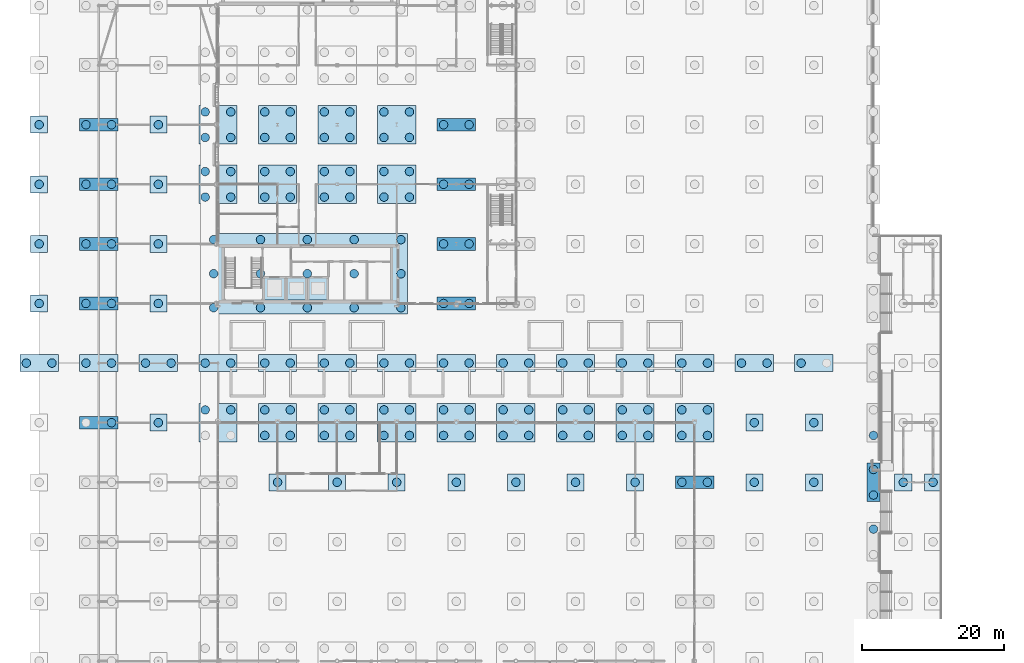
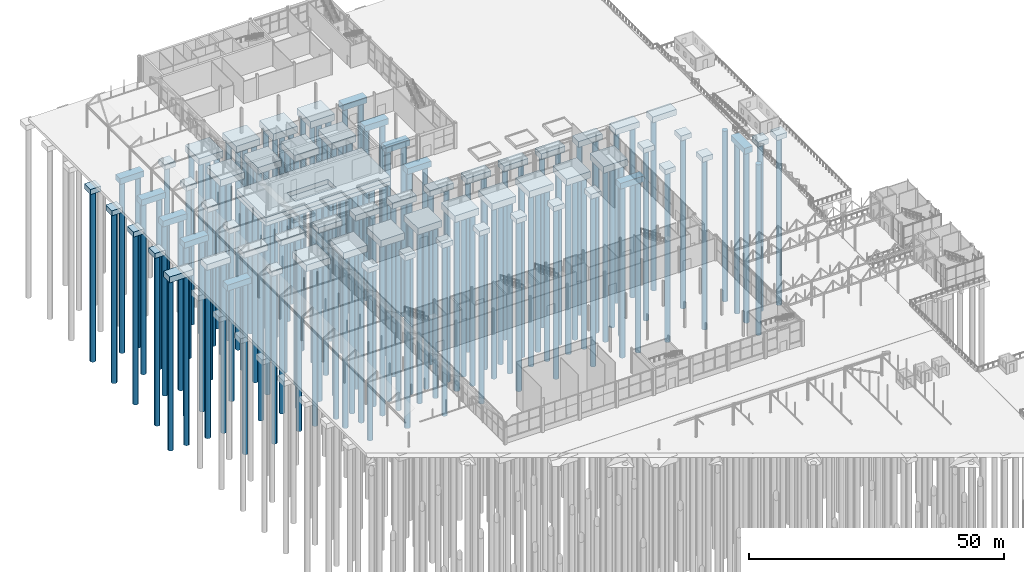
# One storey, part 4 of 212: 153 piles, 66 footings.
"""IFC4 building model written with IfcOpenShell, lengths in metres."""

from ifc_helpers import new_model, si_unit, direction, frame, origin, origin_2d, place, context, subcontext, project, spatial, polyline, rectangle, circle, outline, extrude, material, layer, layer_set, material_profile, profile_set, type_object, element, save


model = new_model("IFC4")

# Units and contexts
model_context = context("Model", 3, precision=1e-05, world=origin(), true_north=direction((0.0, 1.0)))
body_context = subcontext(model_context, "Body", "Model", "MODEL_VIEW")
ifc_project = project(units=[si_unit("LENGTHUNIT", "METRE"), si_unit("AREAUNIT", "SQUARE_METRE"), si_unit("VOLUMEUNIT", "CUBIC_METRE"), si_unit("PLANEANGLEUNIT", "RADIAN"), si_unit("MASSUNIT", "GRAM", prefix="KILO")], contexts=[model_context])

# Site, building, storey
site_placement = place(None, origin())
site = spatial("IfcSite", under=ifc_project, at=site_placement, CompositionType="ELEMENT")
building_placement = place(site_placement, origin())
building = spatial("IfcBuilding", under=site, at=building_placement, Name="Catenary Quay Ferry Terminal", CompositionType="ELEMENT")
storey_placement = place(building_placement, origin())
storey = spatial("IfcBuildingStorey", under=building, at=storey_placement, Name="L00", CompositionType="ELEMENT", Elevation=0.0)

# Piles
ifc_material_1 = material(Name="Concrete C35/45", Category="concrete")
ifc_material_profile = material_profile(ifc_material_1, circle(Radius=0.60009765625, at=origin_2d()), Name="D1200")
ifc_profile_set = profile_set([ifc_material_profile], Name="Concrete C35/45")
pile_type = type_object("IfcPileType", Name="Bored pile D1200", PredefinedType="BORED", material=ifc_profile_set)
for number, where, z_axis, x_axis, name in (
    (1, (117.60009765625, 127.800048828125, -2.10009765625), (0.0, 0.0, -1.0), (1.0, 0.0, 0.0), "Pile PC2-O16/2"),
    (2, (33.60009765625, 134.39990234375, -1.89990234375), (0.0, 0.0, -1.0), (1.0, 0.0, 0.0), "Pile PC1-E17/1"),
    (3, (42.0, 134.39990234375, -1.89990234375), (0.0, 0.0, -1.0), (1.0, 0.0, 0.0), "Pile PC1-F17/1"),
    (4, (50.39990234375, 134.39990234375, -1.89990234375), (0.0, 0.0, -1.0), (1.0, 0.0, 0.0), "Pile PC1-G17/1"),
    (5, (58.800048828125, 134.39990234375, -1.89990234375), (0.0, 0.0, -1.0), (1.0, 0.0, 0.0), "Pile PC1-H17/1"),
    (6, (67.199951171875, 134.39990234375, -1.89990234375), (0.0, 0.0, -1.0), (1.0, 0.0, 0.0), "Pile PC1-I17/1"),
    (7, (75.60009765625, 134.39990234375, -1.89990234375), (0.0, 0.0, -1.0), (1.0, 0.0, 0.0), "Pile PC1-J17/1"),
    (8, (84.0, 134.39990234375, -1.89990234375), (0.0, 0.0, -1.0), (1.0, 0.0, 0.0), "Pile PC1-K17/1"),
    (9, (90.60009765625, 134.39990234375, -2.10009765625), (0.0, 0.0, -1.0), (1.0, 0.0, 0.0), "Pile PC2-L17/1"),
    (10, (94.199951171875, 134.39990234375, -2.10009765625), (0.0, 0.0, -1.0), (1.0, 0.0, 0.0), "Pile PC2-L17/2"),
    (11, (100.800048828125, 134.39990234375, -1.89990234375), (0.0, 0.0, -1.0), (1.0, 0.0, 0.0), "Pile PC1-M17/1"),
    (12, (109.199951171875, 134.39990234375, -1.89990234375), (0.0, 0.0, -1.0), (1.0, 0.0, 0.0), "Pile PC1-N17/1"),
    (13, (117.60009765625, 132.60009765625, -2.10009765625), (0.0, 0.0, -1.0), (1.0, 0.0, 0.0), "Pile PC2-O17/1"),
    (14, (117.60009765625, 136.199951171875, -2.10009765625), (0.0, 0.0, -1.0), (1.0, 0.0, 0.0), "Pile PC2-O17/2"),
    (15, (10.199951171875, 142.800048828125, -2.10009765625), (0.0, 0.0, -1.0), (1.0, 0.0, 0.0), "Pile PC2-B18/2"),
    (16, (16.800048828125, 142.800048828125, -1.89990234375), (0.0, 0.0, -1.0), (1.0, 0.0, 0.0), "Pile PC1-C18/1"),
    (17, (23.39990234375, 144.60009765625, -2.300048828125), (0.0, 0.0, -1.0), (1.0, 0.0, 0.0), "Pile PC4-D18/3"),
    (18, (27.0, 144.60009765625, -2.300048828125), (0.0, 0.0, -1.0), (1.0, 0.0, 0.0), "Pile PC4-D18/4"),
    (19, (31.800048828125, 141.0, -2.300048828125), (0.0, 0.0, -1.0), (1.0, 0.0, 0.0), "Pile PC4-E18/1"),
    (20, (35.39990234375, 141.0, -2.300048828125), (0.0, 0.0, -1.0), (1.0, 0.0, 0.0), "Pile PC4-E18/2"),
    (21, (31.800048828125, 144.60009765625, -2.300048828125), (0.0, 0.0, -1.0), (1.0, 0.0, 0.0), "Pile PC4-E18/3"),
    (22, (35.39990234375, 144.60009765625, -2.300048828125), (0.0, 0.0, -1.0), (1.0, 0.0, 0.0), "Pile PC4-E18/4"),
    (23, (40.199951171875, 141.0, -2.300048828125), (0.0, 0.0, -1.0), (1.0, 0.0, 0.0), "Pile PC4-F18/1"),
    (24, (43.800048828125, 141.0, -2.300048828125), (0.0, 0.0, -1.0), (1.0, 0.0, 0.0), "Pile PC4-F18/2"),
    (25, (40.199951171875, 144.60009765625, -2.300048828125), (0.0, 0.0, -1.0), (1.0, 0.0, 0.0), "Pile PC4-F18/3"),
    (26, (43.800048828125, 144.60009765625, -2.300048828125), (0.0, 0.0, -1.0), (1.0, 0.0, 0.0), "Pile PC4-F18/4"),
    (27, (48.60009765625, 141.0, -2.300048828125), (0.0, 0.0, -1.0), (1.0, 0.0, 0.0), "Pile PC4-G18/1"),
    (28, (52.199951171875, 141.0, -2.300048828125), (0.0, 0.0, -1.0), (1.0, 0.0, 0.0), "Pile PC4-G18/2"),
    (29, (48.60009765625, 144.60009765625, -2.300048828125), (0.0, 0.0, -1.0), (1.0, 0.0, 0.0), "Pile PC4-G18/3"),
    (30, (52.199951171875, 144.60009765625, -2.300048828125), (0.0, 0.0, -1.0), (1.0, 0.0, 0.0), "Pile PC4-G18/4"),
    (31, (57.0, 141.0, -2.300048828125), (0.0, 0.0, -1.0), (1.0, 0.0, 0.0), "Pile PC4-H18/1"),
    (32, (60.60009765625, 141.0, -2.300048828125), (0.0, 0.0, -1.0), (1.0, 0.0, 0.0), "Pile PC4-H18/2"),
    (33, (57.0, 144.60009765625, -2.300048828125), (0.0, 0.0, -1.0), (1.0, 0.0, 0.0), "Pile PC4-H18/3"),
    (34, (60.60009765625, 144.60009765625, -2.300048828125), (0.0, 0.0, -1.0), (1.0, 0.0, 0.0), "Pile PC4-H18/4"),
    (35, (65.39990234375, 141.0, -2.300048828125), (0.0, 0.0, -1.0), (1.0, 0.0, 0.0), "Pile PC4-I18/1"),
    (36, (69.0, 141.0, -2.300048828125), (0.0, 0.0, -1.0), (1.0, 0.0, 0.0), "Pile PC4-I18/2"),
    (37, (65.39990234375, 144.60009765625, -2.300048828125), (0.0, 0.0, -1.0), (1.0, 0.0, 0.0), "Pile PC4-I18/3"),
    (38, (69.0, 144.60009765625, -2.300048828125), (0.0, 0.0, -1.0), (1.0, 0.0, 0.0), "Pile PC4-I18/4"),
    (39, (73.800048828125, 141.0, -2.300048828125), (0.0, 0.0, -1.0), (1.0, 0.0, 0.0), "Pile PC4-J18/1"),
    (40, (77.39990234375, 141.0, -2.300048828125), (0.0, 0.0, -1.0), (1.0, 0.0, 0.0), "Pile PC4-J18/2"),
    (41, (73.800048828125, 144.60009765625, -2.300048828125), (0.0, 0.0, -1.0), (1.0, 0.0, 0.0), "Pile PC4-J18/3"),
    (42, (77.39990234375, 144.60009765625, -2.300048828125), (0.0, 0.0, -1.0), (1.0, 0.0, 0.0), "Pile PC4-J18/4"),
    (43, (82.199951171875, 141.0, -2.300048828125), (0.0, 0.0, -1.0), (1.0, 0.0, 0.0), "Pile PC4-K18/1"),
    (44, (85.800048828125, 141.0, -2.300048828125), (0.0, 0.0, -1.0), (1.0, 0.0, 0.0), "Pile PC4-K18/2"),
    (45, (82.199951171875, 144.60009765625, -2.300048828125), (0.0, 0.0, -1.0), (1.0, 0.0, 0.0), "Pile PC4-K18/3"),
    (46, (85.800048828125, 144.60009765625, -2.300048828125), (0.0, 0.0, -1.0), (1.0, 0.0, 0.0), "Pile PC4-K18/4"),
    (47, (90.60009765625, 141.0, -2.300048828125), (0.0, 0.0, -1.0), (1.0, 0.0, 0.0), "Pile PC4-L18/1"),
    (48, (94.199951171875, 141.0, -2.300048828125), (0.0, 0.0, -1.0), (1.0, 0.0, 0.0), "Pile PC4-L18/2"),
    (49, (90.60009765625, 144.60009765625, -2.300048828125), (0.0, 0.0, -1.0), (1.0, 0.0, 0.0), "Pile PC4-L18/3"),
    (50, (94.199951171875, 144.60009765625, -2.300048828125), (0.0, 0.0, -1.0), (1.0, 0.0, 0.0), "Pile PC4-L18/4"),
    (51, (100.800048828125, 142.800048828125, -1.89990234375), (0.0, 0.0, -1.0), (1.0, 0.0, 0.0), "Pile PC1-M18/1"),
    (52, (109.199951171875, 142.800048828125, -1.89990234375), (0.0, 0.0, -1.0), (1.0, 0.0, 0.0), "Pile PC1-N18/1"),
    (53, (117.60009765625, 141.0, -2.10009765625), (0.0, 0.0, -1.0), (1.0, 0.0, 0.0), "Pile PC2-O18/1"),
    (54, (-1.800048828125, 151.199951171875, -2.10009765625), (0.0, 0.0, -1.0), (1.0, 0.0, 0.0), "Pile PC2J-A19/1"),
    (55, (1.800048828125, 151.199951171875, -2.10009765625), (0.0, 0.0, -1.0), (1.0, 0.0, 0.0), "Pile PC2J-A19/2"),
    (56, (6.60009765625, 151.199951171875, -2.10009765625), (0.0, 0.0, -1.0), (1.0, 0.0, 0.0), "Pile PC2J-B19/1"),
    (57, (10.199951171875, 151.199951171875, -2.10009765625), (0.0, 0.0, -1.0), (1.0, 0.0, 0.0), "Pile PC2J-B19/2"),
    (58, (15.0, 151.199951171875, -2.10009765625), (0.0, 0.0, -1.0), (1.0, 0.0, 0.0), "Pile PC2J-C19/1"),
    (59, (18.60009765625, 151.199951171875, -2.10009765625), (0.0, 0.0, -1.0), (1.0, 0.0, 0.0), "Pile PC2J-C19/2"),
    (60, (23.39990234375, 151.199951171875, -2.10009765625), (0.0, 0.0, -1.0), (1.0, 0.0, 0.0), "Pile PC2J-D19/1"),
    (61, (27.0, 151.199951171875, -2.10009765625), (0.0, 0.0, -1.0), (1.0, 0.0, 0.0), "Pile PC2J-D19/2"),
    (62, (31.800048828125, 151.199951171875, -2.10009765625), (0.0, 0.0, -1.0), (1.0, 0.0, 0.0), "Pile PC2J-E19/1"),
    (63, (35.39990234375, 151.199951171875, -2.10009765625), (0.0, 0.0, -1.0), (1.0, 0.0, 0.0), "Pile PC2J-E19/2"),
    (64, (40.199951171875, 151.199951171875, -2.10009765625), (0.0, 0.0, -1.0), (1.0, 0.0, 0.0), "Pile PC2J-F19/1"),
    (65, (43.800048828125, 151.199951171875, -2.10009765625), (0.0, 0.0, -1.0), (1.0, 0.0, 0.0), "Pile PC2J-F19/2"),
    (66, (48.60009765625, 151.199951171875, -2.10009765625), (0.0, 0.0, -1.0), (1.0, 0.0, 0.0), "Pile PC2J-G19/1"),
    (67, (52.199951171875, 151.199951171875, -2.10009765625), (0.0, 0.0, -1.0), (1.0, 0.0, 0.0), "Pile PC2J-G19/2"),
    (68, (57.0, 151.199951171875, -2.10009765625), (0.0, 0.0, -1.0), (1.0, 0.0, 0.0), "Pile PC2J-H19/1"),
    (69, (60.60009765625, 151.199951171875, -2.10009765625), (0.0, 0.0, -1.0), (1.0, 0.0, 0.0), "Pile PC2J-H19/2"),
    (70, (65.39990234375, 151.199951171875, -2.10009765625), (0.0, 0.0, -1.0), (1.0, 0.0, 0.0), "Pile PC2J-I19/1"),
    (71, (69.0, 151.199951171875, -2.10009765625), (0.0, 0.0, -1.0), (1.0, 0.0, 0.0), "Pile PC2J-I19/2"),
    (72, (73.800048828125, 151.199951171875, -2.10009765625), (0.0, 0.0, -1.0), (1.0, 0.0, 0.0), "Pile PC2J-J19/1"),
    (73, (77.39990234375, 151.199951171875, -2.10009765625), (0.0, 0.0, -1.0), (1.0, 0.0, 0.0), "Pile PC2J-J19/2"),
    (74, (82.199951171875, 151.199951171875, -2.10009765625), (0.0, 0.0, -1.0), (1.0, 0.0, 0.0), "Pile PC2J-K19/1"),
    (75, (85.800048828125, 151.199951171875, -2.10009765625), (0.0, 0.0, -1.0), (1.0, 0.0, 0.0), "Pile PC2J-K19/2"),
    (76, (90.60009765625, 151.199951171875, -2.10009765625), (0.0, 0.0, -1.0), (1.0, 0.0, 0.0), "Pile PC2J-L19/1"),
    (77, (94.199951171875, 151.199951171875, -2.10009765625), (0.0, 0.0, -1.0), (1.0, 0.0, 0.0), "Pile PC2J-L19/2"),
    (78, (99.0, 151.199951171875, -2.10009765625), (0.0, 0.0, -1.0), (1.0, 0.0, 0.0), "Pile PC2J-M19/1"),
    (79, (102.60009765625, 151.199951171875, -2.10009765625), (0.0, 0.0, -1.0), (1.0, 0.0, 0.0), "Pile PC2J-M19/2"),
    (80, (107.39990234375, 151.199951171875, -2.10009765625), (0.0, 0.0, -1.0), (1.0, 0.0, 0.0), "Pile PC2J-N19/1"),
    (81, (0.0, 159.60009765625, -1.89990234375), (0.0, 0.0, -1.0), (1.0, 0.0, 0.0), "Pile PC1-A20/1"),
    (82, (6.60009765625, 159.60009765625, -2.10009765625), (0.0, 0.0, -1.0), (1.0, 0.0, 0.0), "Pile PC2-B20/1"),
    (83, (10.199951171875, 159.60009765625, -2.10009765625), (0.0, 0.0, -1.0), (1.0, 0.0, 0.0), "Pile PC2-B20/2"),
    (84, (16.800048828125, 159.60009765625, -1.89990234375), (0.0, 0.0, -1.0), (1.0, 0.0, 0.0), "Pile PC1-C20/1"),
    (85, (57.0, 159.60009765625, -2.10009765625), (0.0, 0.0, -1.0), (1.0, 0.0, 0.0), "Pile PC2-H20/1"),
    (86, (60.60009765625, 159.60009765625, -2.10009765625), (0.0, 0.0, -1.0), (1.0, 0.0, 0.0), "Pile PC2-H20/2"),
    (87, (0.0, 168.0, -1.89990234375), (0.0, 0.0, -1.0), (1.0, 0.0, 0.0), "Pile PC1-A21/1"),
    (88, (6.60009765625, 168.0, -2.10009765625), (0.0, 0.0, -1.0), (1.0, 0.0, 0.0), "Pile PC2-B21/1"),
    (89, (10.199951171875, 168.0, -2.10009765625), (0.0, 0.0, -1.0), (1.0, 0.0, 0.0), "Pile PC2-B21/2"),
    (90, (16.800048828125, 168.0, -1.89990234375), (0.0, 0.0, -1.0), (1.0, 0.0, 0.0), "Pile PC1-C21/1"),
    (91, (57.0, 168.0, -2.10009765625), (0.0, 0.0, -1.0), (1.0, 0.0, 0.0), "Pile PC2-H21/1"),
    (92, (60.60009765625, 168.0, -2.10009765625), (0.0, 0.0, -1.0), (1.0, 0.0, 0.0), "Pile PC2-H21/2"),
    (93, (0.0, 176.39990234375, -1.89990234375), (0.0, 0.0, -1.0), (1.0, 0.0, 0.0), "Pile PC1-A22/1"),
    (94, (6.60009765625, 176.39990234375, -2.10009765625), (0.0, 0.0, -1.0), (1.0, 0.0, 0.0), "Pile PC2-B22/1"),
    (95, (10.199951171875, 176.39990234375, -2.10009765625), (0.0, 0.0, -1.0), (1.0, 0.0, 0.0), "Pile PC2-B22/2"),
    (96, (16.800048828125, 176.39990234375, -1.89990234375), (0.0, 0.0, -1.0), (1.0, 0.0, 0.0), "Pile PC1-C22/1"),
    (97, (23.39990234375, 174.60009765625, -2.300048828125), (0.0, 0.0, -1.0), (1.0, 0.0, 0.0), "Pile PC4-D22/1"),
    (98, (27.0, 174.60009765625, -2.300048828125), (0.0, 0.0, -1.0), (1.0, 0.0, 0.0), "Pile PC4-D22/2"),
    (99, (23.39990234375, 178.199951171875, -2.300048828125), (0.0, 0.0, -1.0), (1.0, 0.0, 0.0), "Pile PC4-D22/3"),
    (100, (27.0, 178.199951171875, -2.300048828125), (0.0, 0.0, -1.0), (1.0, 0.0, 0.0), "Pile PC4-D22/4"),
    (101, (31.800048828125, 174.60009765625, -2.300048828125), (0.0, 0.0, -1.0), (1.0, 0.0, 0.0), "Pile PC4-E22/1"),
    (102, (35.39990234375, 174.60009765625, -2.300048828125), (0.0, 0.0, -1.0), (1.0, 0.0, 0.0), "Pile PC4-E22/2"),
    (103, (31.800048828125, 178.199951171875, -2.300048828125), (0.0, 0.0, -1.0), (1.0, 0.0, 0.0), "Pile PC4-E22/3"),
    (104, (35.39990234375, 178.199951171875, -2.300048828125), (0.0, 0.0, -1.0), (1.0, 0.0, 0.0), "Pile PC4-E22/4"),
    (105, (40.199951171875, 174.60009765625, -2.300048828125), (0.0, 0.0, -1.0), (1.0, 0.0, 0.0), "Pile PC4-F22/1"),
    (106, (43.800048828125, 174.60009765625, -2.300048828125), (0.0, 0.0, -1.0), (1.0, 0.0, 0.0), "Pile PC4-F22/2"),
    (107, (40.199951171875, 178.199951171875, -2.300048828125), (0.0, 0.0, -1.0), (1.0, 0.0, 0.0), "Pile PC4-F22/3"),
    (108, (43.800048828125, 178.199951171875, -2.300048828125), (0.0, 0.0, -1.0), (1.0, 0.0, 0.0), "Pile PC4-F22/4"),
    (109, (48.60009765625, 174.60009765625, -2.300048828125), (0.0, 0.0, -1.0), (1.0, 0.0, 0.0), "Pile PC4-G22/1"),
    (110, (52.199951171875, 174.60009765625, -2.300048828125), (0.0, 0.0, -1.0), (1.0, 0.0, 0.0), "Pile PC4-G22/2"),
    (111, (48.60009765625, 178.199951171875, -2.300048828125), (0.0, 0.0, -1.0), (1.0, 0.0, 0.0), "Pile PC4-G22/3"),
    (112, (52.199951171875, 178.199951171875, -2.300048828125), (0.0, 0.0, -1.0), (1.0, 0.0, 0.0), "Pile PC4-G22/4"),
    (113, (57.0, 176.39990234375, -2.10009765625), (0.0, 0.0, -1.0), (1.0, 0.0, 0.0), "Pile PC2-H22/1"),
    (114, (60.60009765625, 176.39990234375, -2.10009765625), (0.0, 0.0, -1.0), (1.0, 0.0, 0.0), "Pile PC2-H22/2"),
    (115, (0.0, 184.800048828125, -1.89990234375), (0.0, 0.0, -1.0), (1.0, 0.0, 0.0), "Pile PC1-A23/1"),
    (116, (6.60009765625, 184.800048828125, -2.10009765625), (0.0, 0.0, -1.0), (1.0, 0.0, 0.0), "Pile PC2-B23/1"),
    (117, (10.199951171875, 184.800048828125, -2.10009765625), (0.0, 0.0, -1.0), (1.0, 0.0, 0.0), "Pile PC2-B23/2"),
    (118, (16.800048828125, 184.800048828125, -1.89990234375), (0.0, 0.0, -1.0), (1.0, 0.0, 0.0), "Pile PC1-C23/1"),
    (119, (23.39990234375, 183.0, -2.300048828125), (0.0, 0.0, -1.0), (1.0, 0.0, 0.0), "Pile PC4-D23/1"),
    (120, (27.0, 183.0, -2.300048828125), (0.0, 0.0, -1.0), (1.0, 0.0, 0.0), "Pile PC4-D23/2"),
    (121, (23.39990234375, 186.60009765625, -2.300048828125), (0.0, 0.0, -1.0), (1.0, 0.0, 0.0), "Pile PC4-D23/3"),
    (122, (27.0, 186.60009765625, -2.300048828125), (0.0, 0.0, -1.0), (1.0, 0.0, 0.0), "Pile PC4-D23/4"),
    (123, (31.800048828125, 183.0, -2.300048828125), (0.0, 0.0, -1.0), (1.0, 0.0, 0.0), "Pile PC4-E23/1"),
    (124, (35.39990234375, 183.0, -2.300048828125), (0.0, 0.0, -1.0), (1.0, 0.0, 0.0), "Pile PC4-E23/2"),
    (125, (31.800048828125, 186.60009765625, -2.300048828125), (0.0, 0.0, -1.0), (1.0, 0.0, 0.0), "Pile PC4-E23/3"),
    (126, (35.39990234375, 186.60009765625, -2.300048828125), (0.0, 0.0, -1.0), (1.0, 0.0, 0.0), "Pile PC4-E23/4"),
    (127, (40.199951171875, 183.0, -2.300048828125), (0.0, 0.0, -1.0), (1.0, 0.0, 0.0), "Pile PC4-F23/1"),
    (128, (43.800048828125, 183.0, -2.300048828125), (0.0, 0.0, -1.0), (1.0, 0.0, 0.0), "Pile PC4-F23/2"),
    (129, (40.199951171875, 186.60009765625, -2.300048828125), (0.0, 0.0, -1.0), (1.0, 0.0, 0.0), "Pile PC4-F23/3"),
    (130, (43.800048828125, 186.60009765625, -2.300048828125), (0.0, 0.0, -1.0), (1.0, 0.0, 0.0), "Pile PC4-F23/4"),
    (131, (48.60009765625, 183.0, -2.300048828125), (0.0, 0.0, -1.0), (1.0, 0.0, 0.0), "Pile PC4-G23/1"),
    (132, (52.199951171875, 183.0, -2.300048828125), (0.0, 0.0, -1.0), (1.0, 0.0, 0.0), "Pile PC4-G23/2"),
    (133, (48.60009765625, 186.60009765625, -2.300048828125), (0.0, 0.0, -1.0), (1.0, 0.0, 0.0), "Pile PC4-G23/3"),
    (134, (52.199951171875, 186.60009765625, -2.300048828125), (0.0, 0.0, -1.0), (1.0, 0.0, 0.0), "Pile PC4-G23/4"),
    (135, (57.0, 184.800048828125, -2.10009765625), (0.0, 0.0, -1.0), (1.0, 0.0, 0.0), "Pile PC2-H23/1"),
    (136, (60.60009765625, 184.800048828125, -2.10009765625), (0.0, 0.0, -1.0), (1.0, 0.0, 0.0), "Pile PC2-H23/2"),
):
    element("IfcPile", number, at=place(storey_placement, frame(where, z_axis=z_axis, x_axis=x_axis)), inside=storey, type_object=pile_type, Name=name, PredefinedType="BORED", context=body_context, shape_type="SweptSolid", body=[
        extrude(circle(Radius=0.60009765625, at=origin_2d()), origin(), (0.0, 0.0, 1.0), 40.800048828125),
    ])
for number, where, z_axis, x_axis, name in (
    (137, (121.800048828125, 134.39990234375, -2.60009765625), (0.0, 0.0, -1.0), (1.0, 0.0, 0.0), "Pile PC1-RS17/1"),
    (138, (126.0, 134.39990234375, -2.60009765625), (0.0, 0.0, -1.0), (1.0, 0.0, 0.0), "Pile PC1-RT17/1"),
):
    element("IfcPile", number, at=place(storey_placement, frame(where, z_axis=z_axis, x_axis=x_axis)), inside=storey, type_object=pile_type, Name=name, PredefinedType="BORED", context=body_context, shape_type="SweptSolid", body=[
        extrude(circle(Radius=0.60009765625, at=origin_2d()), origin(), (0.0, 0.0, 1.0), 40.10009765625),
    ])
for number, where, z_axis, x_axis, name in (
    (139, (24.60009765625, 159.0, -2.699951171875), (0.0, 0.0, -1.0), (1.0, 0.0, 0.0), "Pile CF1/1"),
    (140, (31.199951171875, 159.0, -2.699951171875), (0.0, 0.0, -1.0), (1.0, 0.0, 0.0), "Pile CF1/2"),
    (141, (37.800048828125, 159.0, -2.699951171875), (0.0, 0.0, -1.0), (1.0, 0.0, 0.0), "Pile CF1/3"),
    (142, (44.39990234375, 159.0, -2.699951171875), (0.0, 0.0, -1.0), (1.0, 0.0, 0.0), "Pile CF1/4"),
    (143, (51.0, 159.0, -2.699951171875), (0.0, 0.0, -1.0), (1.0, 0.0, 0.0), "Pile CF1/5"),
    (144, (24.60009765625, 163.800048828125, -2.699951171875), (0.0, 0.0, -1.0), (1.0, 0.0, 0.0), "Pile CF1/6"),
    (145, (31.199951171875, 163.800048828125, -2.699951171875), (0.0, 0.0, -1.0), (1.0, 0.0, 0.0), "Pile CF1/7"),
    (146, (37.800048828125, 163.800048828125, -2.699951171875), (0.0, 0.0, -1.0), (1.0, 0.0, 0.0), "Pile CF1/8"),
    (147, (44.39990234375, 163.800048828125, -2.699951171875), (0.0, 0.0, -1.0), (1.0, 0.0, 0.0), "Pile CF1/9"),
    (148, (51.0, 163.800048828125, -2.699951171875), (0.0, 0.0, -1.0), (1.0, 0.0, 0.0), "Pile CF1/10"),
    (149, (24.60009765625, 168.60009765625, -2.699951171875), (0.0, 0.0, -1.0), (1.0, 0.0, 0.0), "Pile CF1/11"),
    (150, (31.199951171875, 168.60009765625, -2.699951171875), (0.0, 0.0, -1.0), (1.0, 0.0, 0.0), "Pile CF1/12"),
    (151, (37.800048828125, 168.60009765625, -2.699951171875), (0.0, 0.0, -1.0), (1.0, 0.0, 0.0), "Pile CF1/13"),
    (152, (44.39990234375, 168.60009765625, -2.699951171875), (0.0, 0.0, -1.0), (1.0, 0.0, 0.0), "Pile CF1/14"),
    (153, (51.0, 168.60009765625, -2.699951171875), (0.0, 0.0, -1.0), (1.0, 0.0, 0.0), "Pile CF1/15"),
):
    element("IfcPile", number, at=place(storey_placement, frame(where, z_axis=z_axis, x_axis=x_axis)), inside=storey, type_object=pile_type, Name=name, PredefinedType="BORED", context=body_context, shape_type="SweptSolid", body=[
        extrude(circle(Radius=0.60009765625, at=origin_2d()), origin(), (0.0, 0.0, 1.0), 40.800048828125),
    ])

# Footings
ifc_material_2 = material(Name="Concrete C50/60", Category="concrete")
ifc_layer_1 = layer(ifc_material_2, 0.89990234375)
ifc_layer_set_1 = layer_set([ifc_layer_1], Name="Core footing lower layer")
footing_type_1 = type_object("IfcFootingType", Name="Core footing lower layer", PredefinedType="PILE_CAP", material=ifc_layer_set_1)
footing_1_placement = place(storey_placement, frame((0.0, 0.0, -2.699951171875)))
element("IfcFooting", 154, at=footing_1_placement, inside=storey, type_object=footing_type_1, Name="Core footing CF1 lower layer", PredefinedType="PILE_CAP", context=body_context, shape_type="SweptSolid", body=[
    extrude(outline(polyline([(23.699951171875, 158.10009765625), (51.89990234375, 158.10009765625), (51.89990234375, 169.5), (23.699951171875, 169.5), (23.699951171875, 158.10009765625)])), origin(), (0.0, 0.0, 1.0), 0.89990234375),
])
ifc_material_3 = material(Name="Concrete C50/60", Category="concrete")
ifc_layer_2 = layer(ifc_material_3, 1.10009765625)
ifc_layer_set_2 = layer_set([ifc_layer_2], Name="Core footing upper layer")
footing_type_2 = type_object("IfcFootingType", Name="Core footing upper layer", PredefinedType="PILE_CAP", material=ifc_layer_set_2)
footing_2_placement = place(storey_placement, frame((0.0, 0.0, -1.800048828125)))
element("IfcFooting", 155, at=footing_2_placement, inside=storey, type_object=footing_type_2, Name="Core footing CF1 upper layer", PredefinedType="PILE_CAP", context=body_context, shape_type="SweptSolid", body=[
    extrude(outline(polyline([(23.699951171875, 158.10009765625), (51.89990234375, 158.10009765625), (51.89990234375, 169.5), (23.699951171875, 169.5), (23.699951171875, 158.10009765625)]), holes=[polyline([(31.5, 160.10009765625), (31.5, 163.39990234375), (40.800048828125, 163.39990234375), (40.800048828125, 160.10009765625), (31.5, 160.10009765625)])]), origin(), (0.0, 0.0, 1.0), 1.10009765625),
])
ifc_material_4 = material(Name="Concrete C35/45", Category="concrete")
footing_type_3 = type_object("IfcFootingType", Name="Pile cap PC1", PredefinedType="PILE_CAP", material=ifc_material_4)
for number, where, z_axis, x_axis, name in (
    (156, (33.60009765625, 134.39990234375, -1.89990234375), (0.0, 0.0, 1.0), (1.0, 0.0, 0.0), "Pile cap PC1-E17"),
    (157, (42.0, 134.39990234375, -1.89990234375), (0.0, 0.0, 1.0), (1.0, 0.0, 0.0), "Pile cap PC1-F17"),
    (158, (50.39990234375, 134.39990234375, -1.89990234375), (0.0, 0.0, 1.0), (1.0, 0.0, 0.0), "Pile cap PC1-G17"),
    (159, (58.800048828125, 134.39990234375, -1.89990234375), (0.0, 0.0, 1.0), (1.0, 0.0, 0.0), "Pile cap PC1-H17"),
    (160, (67.199951171875, 134.39990234375, -1.89990234375), (0.0, 0.0, 1.0), (1.0, 0.0, 0.0), "Pile cap PC1-I17"),
    (161, (75.60009765625, 134.39990234375, -1.89990234375), (0.0, 0.0, 1.0), (1.0, 0.0, 0.0), "Pile cap PC1-J17"),
    (162, (84.0, 134.39990234375, -1.89990234375), (0.0, 0.0, 1.0), (1.0, 0.0, 0.0), "Pile cap PC1-K17"),
    (163, (100.800048828125, 134.39990234375, -1.89990234375), (0.0, 0.0, 1.0), (1.0, 0.0, 0.0), "Pile cap PC1-M17"),
    (164, (109.199951171875, 134.39990234375, -1.89990234375), (0.0, 0.0, 1.0), (1.0, 0.0, 0.0), "Pile cap PC1-N17"),
    (165, (16.800048828125, 142.800048828125, -1.89990234375), (0.0, 0.0, 1.0), (1.0, 0.0, 0.0), "Pile cap PC1-C18"),
    (166, (100.800048828125, 142.800048828125, -1.89990234375), (0.0, 0.0, 1.0), (1.0, 0.0, 0.0), "Pile cap PC1-M18"),
    (167, (109.199951171875, 142.800048828125, -1.89990234375), (0.0, 0.0, 1.0), (1.0, 0.0, 0.0), "Pile cap PC1-N18"),
    (168, (0.0, 159.60009765625, -1.89990234375), (0.0, 0.0, 1.0), (1.0, 0.0, 0.0), "Pile cap PC1-A20"),
    (169, (16.800048828125, 159.60009765625, -1.89990234375), (0.0, 0.0, 1.0), (1.0, 0.0, 0.0), "Pile cap PC1-C20"),
    (170, (0.0, 168.0, -1.89990234375), (0.0, 0.0, 1.0), (1.0, 0.0, 0.0), "Pile cap PC1-A21"),
    (171, (16.800048828125, 168.0, -1.89990234375), (0.0, 0.0, 1.0), (1.0, 0.0, 0.0), "Pile cap PC1-C21"),
    (172, (0.0, 176.39990234375, -1.89990234375), (0.0, 0.0, 1.0), (1.0, 0.0, 0.0), "Pile cap PC1-A22"),
    (173, (16.800048828125, 176.39990234375, -1.89990234375), (0.0, 0.0, 1.0), (1.0, 0.0, 0.0), "Pile cap PC1-C22"),
    (174, (0.0, 184.800048828125, -1.89990234375), (0.0, 0.0, 1.0), (1.0, 0.0, 0.0), "Pile cap PC1-A23"),
    (175, (16.800048828125, 184.800048828125, -1.89990234375), (0.0, 0.0, 1.0), (1.0, 0.0, 0.0), "Pile cap PC1-C23"),
    (176, (121.800048828125, 134.39990234375, -2.60009765625), (0.0, 0.0, 1.0), (1.0, 0.0, 0.0), "Pile cap PC1-RS17"),
    (177, (126.0, 134.39990234375, -2.60009765625), (0.0, 0.0, 1.0), (1.0, 0.0, 0.0), "Pile cap PC1-RT17"),
):
    element("IfcFooting", number, at=place(storey_placement, frame(where, z_axis=z_axis, x_axis=x_axis)), inside=storey, type_object=footing_type_3, Name=name, PredefinedType="PILE_CAP", context=body_context, shape_type="SweptSolid", body=[
        extrude(rectangle(XDim=2.39990234375, YDim=2.39990234375, at=origin_2d()), origin(), (0.0, 0.0, 1.0), 1.199951171875),
    ])
ifc_material_5 = material(Name="Concrete C35/45", Category="concrete")
footing_type_4 = type_object("IfcFootingType", Name="Pile cap PC2", PredefinedType="PILE_CAP", material=ifc_material_5)
footing_3_placement = place(storey_placement, frame((92.39990234375, 134.39990234375, -2.099853515625), z_axis=(0.0, 0.0, 1.0), x_axis=(1.0, 0.0, 0.0)))
element("IfcFooting", 178, at=footing_3_placement, inside=storey, type_object=footing_type_4, Name="Pile cap PC2-L17", PredefinedType="PILE_CAP", context=body_context, shape_type="SweptSolid", body=[
    extrude(rectangle(XDim=5.39990234375, YDim=1.800048828125, at=origin_2d()), origin(), (0.0, 0.0, 1.0), 1.39990234375),
])
footing_4_placement = place(storey_placement, frame((117.60009765625, 134.39990234375, -2.099853515625), z_axis=(0.0, 0.0, 1.0), x_axis=(1.0, 0.0, 0.0)))
element("IfcFooting", 179, at=footing_4_placement, inside=storey, type_object=footing_type_4, Name="Pile cap PC2-O17", PredefinedType="PILE_CAP", context=body_context, shape_type="SweptSolid", body=[
    extrude(rectangle(XDim=1.800048828125, YDim=5.39990234375, at=origin_2d()), origin(), (0.0, 0.0, 1.0), 1.39990234375),
])
for number, where, z_axis, x_axis, name in (
    (180, (8.39990234375, 142.800048828125, -2.099853515625), (0.0, 0.0, 1.0), (1.0, 0.0, 0.0), "Pile cap PC2-B18"),
    (181, (8.39990234375, 159.60009765625, -2.099853515625), (0.0, 0.0, 1.0), (1.0, 0.0, 0.0), "Pile cap PC2-B20"),
    (182, (58.800048828125, 159.60009765625, -2.099853515625), (0.0, 0.0, 1.0), (1.0, 0.0, 0.0), "Pile cap PC2-H20"),
    (183, (8.39990234375, 168.0, -2.099853515625), (0.0, 0.0, 1.0), (1.0, 0.0, 0.0), "Pile cap PC2-B21"),
    (184, (58.800048828125, 168.0, -2.099853515625), (0.0, 0.0, 1.0), (1.0, 0.0, 0.0), "Pile cap PC2-H21"),
    (185, (8.39990234375, 176.39990234375, -2.099853515625), (0.0, 0.0, 1.0), (1.0, 0.0, 0.0), "Pile cap PC2-B22"),
    (186, (58.800048828125, 176.39990234375, -2.099853515625), (0.0, 0.0, 1.0), (1.0, 0.0, 0.0), "Pile cap PC2-H22"),
    (187, (8.39990234375, 184.800048828125, -2.099853515625), (0.0, 0.0, 1.0), (1.0, 0.0, 0.0), "Pile cap PC2-B23"),
    (188, (58.800048828125, 184.800048828125, -2.099853515625), (0.0, 0.0, 1.0), (1.0, 0.0, 0.0), "Pile cap PC2-H23"),
):
    element("IfcFooting", number, at=place(storey_placement, frame(where, z_axis=z_axis, x_axis=x_axis)), inside=storey, type_object=footing_type_4, Name=name, PredefinedType="PILE_CAP", context=body_context, shape_type="SweptSolid", body=[
        extrude(rectangle(XDim=5.39990234375, YDim=1.800048828125, at=origin_2d()), origin(), (0.0, 0.0, 1.0), 1.39990234375),
    ])
ifc_material_6 = material(Name="Concrete C35/45", Category="concrete")
footing_type_5 = type_object("IfcFootingType", Name="Pile cap PC2J", PredefinedType="PILE_CAP", material=ifc_material_6)
for number, where, z_axis, x_axis, name in (
    (189, (0.0, 151.199951171875, -2.099853515625), (0.0, 0.0, 1.0), (1.0, 0.0, 0.0), "Pile cap PC2J-A19"),
    (190, (8.39990234375, 151.199951171875, -2.099853515625), (0.0, 0.0, 1.0), (1.0, 0.0, 0.0), "Pile cap PC2J-B19"),
    (191, (16.800048828125, 151.199951171875, -2.099853515625), (0.0, 0.0, 1.0), (1.0, 0.0, 0.0), "Pile cap PC2J-C19"),
    (192, (25.199951171875, 151.199951171875, -2.099853515625), (0.0, 0.0, 1.0), (1.0, 0.0, 0.0), "Pile cap PC2J-D19"),
    (193, (33.60009765625, 151.199951171875, -2.099853515625), (0.0, 0.0, 1.0), (1.0, 0.0, 0.0), "Pile cap PC2J-E19"),
    (194, (42.0, 151.199951171875, -2.099853515625), (0.0, 0.0, 1.0), (1.0, 0.0, 0.0), "Pile cap PC2J-F19"),
    (195, (50.39990234375, 151.199951171875, -2.099853515625), (0.0, 0.0, 1.0), (1.0, 0.0, 0.0), "Pile cap PC2J-G19"),
    (196, (58.800048828125, 151.199951171875, -2.099853515625), (0.0, 0.0, 1.0), (1.0, 0.0, 0.0), "Pile cap PC2J-H19"),
    (197, (67.199951171875, 151.199951171875, -2.099853515625), (0.0, 0.0, 1.0), (1.0, 0.0, 0.0), "Pile cap PC2J-I19"),
    (198, (75.60009765625, 151.199951171875, -2.099853515625), (0.0, 0.0, 1.0), (1.0, 0.0, 0.0), "Pile cap PC2J-J19"),
    (199, (84.0, 151.199951171875, -2.099853515625), (0.0, 0.0, 1.0), (1.0, 0.0, 0.0), "Pile cap PC2J-K19"),
    (200, (92.39990234375, 151.199951171875, -2.099853515625), (0.0, 0.0, 1.0), (1.0, 0.0, 0.0), "Pile cap PC2J-L19"),
    (201, (100.800048828125, 151.199951171875, -2.099853515625), (0.0, 0.0, 1.0), (1.0, 0.0, 0.0), "Pile cap PC2J-M19"),
    (202, (109.199951171875, 151.199951171875, -2.099853515625), (0.0, 0.0, 1.0), (1.0, 0.0, 0.0), "Pile cap PC2J-N19"),
):
    element("IfcFooting", number, at=place(storey_placement, frame(where, z_axis=z_axis, x_axis=x_axis)), inside=storey, type_object=footing_type_5, Name=name, PredefinedType="PILE_CAP", context=body_context, shape_type="SweptSolid", body=[
        extrude(rectangle(XDim=5.39990234375, YDim=2.39990234375, at=origin_2d()), origin(), (0.0, 0.0, 1.0), 1.39990234375),
    ])
ifc_material_7 = material(Name="Concrete C35/45", Category="concrete")
footing_type_6 = type_object("IfcFootingType", Name="Pile cap PC4", PredefinedType="PILE_CAP", material=ifc_material_7)
for number, where, z_axis, x_axis, name in (
    (203, (25.199951171875, 142.800048828125, -2.300048828125), (0.0, 0.0, 1.0), (1.0, 0.0, 0.0), "Pile cap PC4-D18"),
    (204, (33.60009765625, 142.800048828125, -2.300048828125), (0.0, 0.0, 1.0), (1.0, 0.0, 0.0), "Pile cap PC4-E18"),
    (205, (42.0, 142.800048828125, -2.300048828125), (0.0, 0.0, 1.0), (1.0, 0.0, 0.0), "Pile cap PC4-F18"),
    (206, (50.39990234375, 142.800048828125, -2.300048828125), (0.0, 0.0, 1.0), (1.0, 0.0, 0.0), "Pile cap PC4-G18"),
    (207, (58.800048828125, 142.800048828125, -2.300048828125), (0.0, 0.0, 1.0), (1.0, 0.0, 0.0), "Pile cap PC4-H18"),
    (208, (67.199951171875, 142.800048828125, -2.300048828125), (0.0, 0.0, 1.0), (1.0, 0.0, 0.0), "Pile cap PC4-I18"),
    (209, (75.60009765625, 142.800048828125, -2.300048828125), (0.0, 0.0, 1.0), (1.0, 0.0, 0.0), "Pile cap PC4-J18"),
    (210, (84.0, 142.800048828125, -2.300048828125), (0.0, 0.0, 1.0), (1.0, 0.0, 0.0), "Pile cap PC4-K18"),
    (211, (92.39990234375, 142.800048828125, -2.300048828125), (0.0, 0.0, 1.0), (1.0, 0.0, 0.0), "Pile cap PC4-L18"),
    (212, (25.199951171875, 176.39990234375, -2.300048828125), (0.0, 0.0, 1.0), (1.0, 0.0, 0.0), "Pile cap PC4-D22"),
    (213, (33.60009765625, 176.39990234375, -2.300048828125), (0.0, 0.0, 1.0), (1.0, 0.0, 0.0), "Pile cap PC4-E22"),
    (214, (42.0, 176.39990234375, -2.300048828125), (0.0, 0.0, 1.0), (1.0, 0.0, 0.0), "Pile cap PC4-F22"),
    (215, (50.39990234375, 176.39990234375, -2.300048828125), (0.0, 0.0, 1.0), (1.0, 0.0, 0.0), "Pile cap PC4-G22"),
    (216, (25.199951171875, 184.800048828125, -2.300048828125), (0.0, 0.0, 1.0), (1.0, 0.0, 0.0), "Pile cap PC4-D23"),
    (217, (33.60009765625, 184.800048828125, -2.300048828125), (0.0, 0.0, 1.0), (1.0, 0.0, 0.0), "Pile cap PC4-E23"),
    (218, (42.0, 184.800048828125, -2.300048828125), (0.0, 0.0, 1.0), (1.0, 0.0, 0.0), "Pile cap PC4-F23"),
    (219, (50.39990234375, 184.800048828125, -2.300048828125), (0.0, 0.0, 1.0), (1.0, 0.0, 0.0), "Pile cap PC4-G23"),
):
    element("IfcFooting", number, at=place(storey_placement, frame(where, z_axis=z_axis, x_axis=x_axis)), inside=storey, type_object=footing_type_6, Name=name, PredefinedType="PILE_CAP", context=body_context, shape_type="SweptSolid", body=[
        extrude(rectangle(XDim=5.39990234375, YDim=5.39990234375, at=origin_2d()), origin(), (0.0, 0.0, 1.0), 1.60009765625),
    ])

save(model, "model.ifc")
